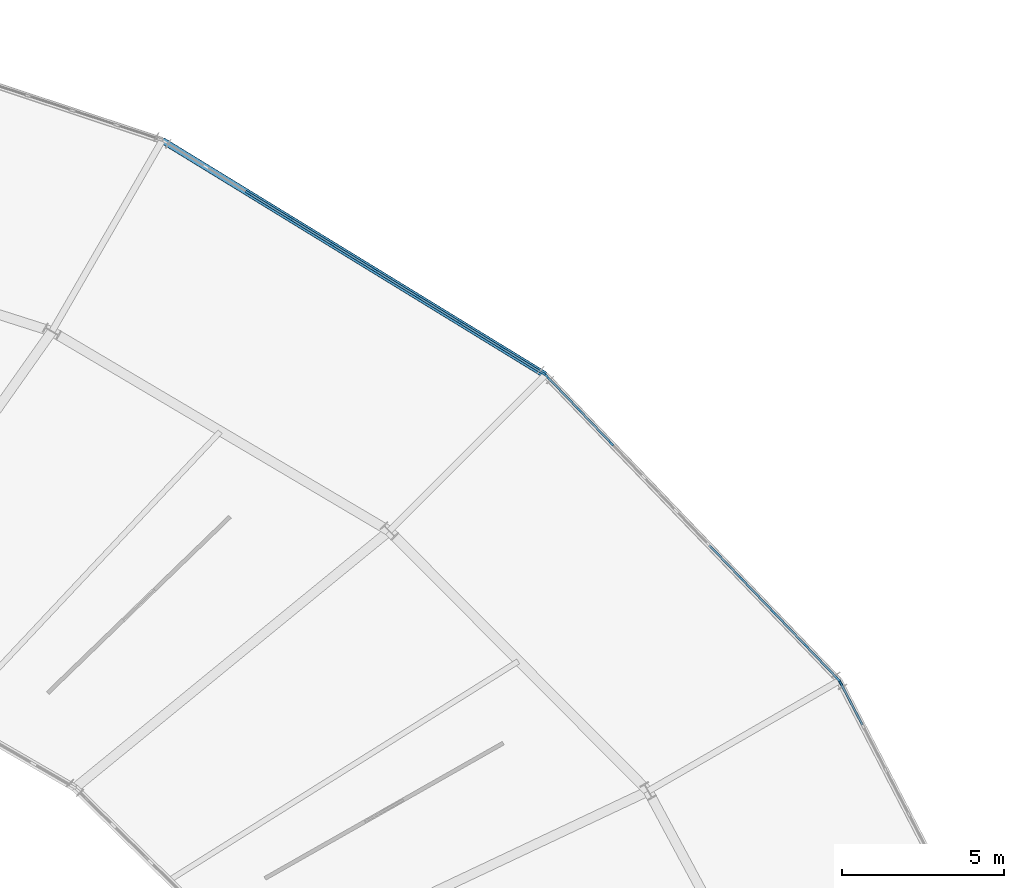
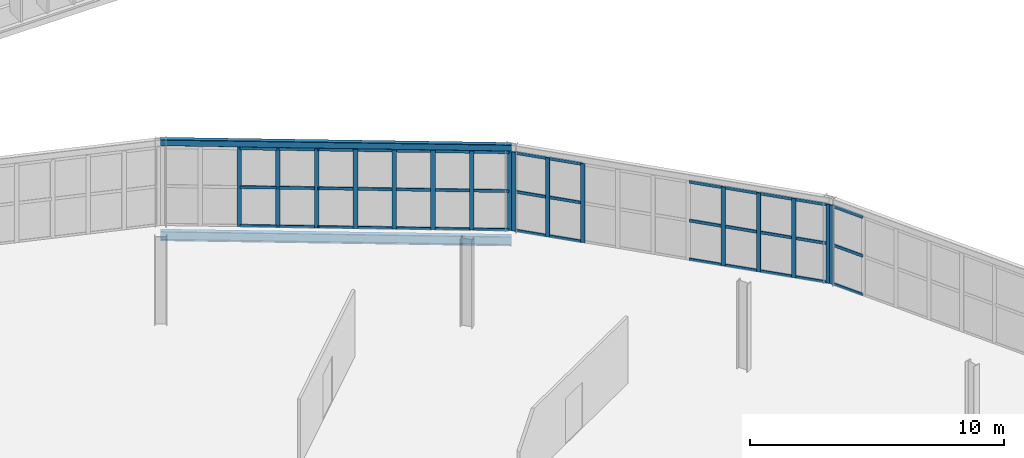
# One storey, part 86 of 161: 58 members, 2 beams, 3 elements without a shape of their own.
"""IFC4 building model written with IfcOpenShell, lengths in metres."""

from ifc_helpers import new_model, si_unit, direction, frame, origin, origin_2d, place, context, subcontext, project, spatial, rectangle, hollow_rectangle, i_section, extrude, material, material_profile, profile_set, type_object, element, aggregate, save


model = new_model("IFC4")

# Units and contexts
model_context = context("Model", 3, precision=1e-05, world=origin(), true_north=direction((0.0, 1.0)))
body_context = subcontext(model_context, "Body", "Model", "MODEL_VIEW")
ifc_project = project(units=[si_unit("LENGTHUNIT", "METRE"), si_unit("AREAUNIT", "SQUARE_METRE"), si_unit("VOLUMEUNIT", "CUBIC_METRE"), si_unit("PLANEANGLEUNIT", "RADIAN"), si_unit("MASSUNIT", "GRAM", prefix="KILO")], contexts=[model_context])

# Site, building, storey
site_placement = place(None, origin())
site = spatial("IfcSite", under=ifc_project, at=site_placement, CompositionType="ELEMENT")
building_placement = place(site_placement, origin())
building = spatial("IfcBuilding", under=site, at=building_placement, Name="Kildeholm Park Wholesale Market", CompositionType="ELEMENT")
storey_placement = place(building_placement, frame((0.0, 0.0, 5.39990234375)))
storey = spatial("IfcBuildingStorey", under=building, at=storey_placement, Name="L01", CompositionType="ELEMENT", Elevation=5.39990234375)

# Beams
ifc_material_1 = material(Name="Steel S355", Category="steel")
ifc_material_profile_1 = material_profile(ifc_material_1, i_section(OverallWidth=0.18994140625, OverallDepth=0.449951171875, WebThickness=0.009521484375, FlangeThickness=0.0146484375, FilletRadius=0.02099609375, at=origin_2d()), Name="IPE 450")
ifc_profile_set_1 = profile_set([ifc_material_profile_1], Name="Steel S355")
beam_type_1 = type_object("IfcBeamType", Name="Beam B-P02 IPE 450", PredefinedType="BEAM", material=ifc_profile_set_1)
beam_1_placement = place(storey_placement, frame((139.304931640625, 121.673095703125, -0.474853515625), z_axis=(-0.852740373682, 0.522335002745, 0.0), x_axis=(-0.522335002745, -0.852740373682, 0.0)))
element("IfcBeam", 1, at=beam_1_placement, inside=storey, type_object=beam_type_1, Name="Beam BM-V1-L01-CO-03 BM-0033", PredefinedType="BEAM", context=body_context, shape_type="SweptSolid", body=[
    extrude(i_section(OverallWidth=0.18994140625, OverallDepth=0.449951171875, WebThickness=0.009521484375, FlangeThickness=0.0146484375, FilletRadius=0.02099609375, at=origin_2d()), origin(), (0.0, 0.0, 1.0), 13.843505859375),
])
ifc_material_profile_2 = material_profile(ifc_material_1, hollow_rectangle(XDim=0.199951171875, YDim=0.300048828125, WallThickness=0.012451171875, InnerFilletRadius=0.012451171875, OuterFilletRadius=0.02490234375, at=origin_2d()), Name="RHS 300x200x12.5")
ifc_profile_set_2 = profile_set([ifc_material_profile_2], Name="Steel S355")
beam_type_2 = type_object("IfcBeamType", Name="Beam SP-01 RHS 300x200x12.5", PredefinedType="SPANDREL", material=ifc_profile_set_2)
beam_2_placement = place(storey_placement, frame((139.304931640625, 121.673095703125, 4.02294921875), z_axis=(-0.852740373682, 0.522335002745, 0.0), x_axis=(-0.522335002745, -0.852740373682, 0.0)))
element("IfcBeam", 2, at=beam_2_placement, inside=storey, type_object=beam_type_2, Name="Beam SP-V1-EAV-03 BM-0238", PredefinedType="SPANDREL", context=body_context, shape_type="SweptSolid", body=[
    extrude(hollow_rectangle(XDim=0.199951171875, YDim=0.300048828125, WallThickness=0.012451171875, InnerFilletRadius=0.012451171875, OuterFilletRadius=0.02490234375, at=origin_2d()), origin(), (0.0, 0.0, 1.0), 13.843505859375),
])

# Curtain wall, member
ifc_material_2 = material(Name="Anodised aluminium and low-E double-glazed glass", Category="aluminium")
curtain_wall_type = type_object("IfcCurtainWallType", Name="Market hall glazed arcade stick curtain wall CW-01", PredefinedType="NOTDEFINED", material=ifc_material_2)
curtain_wall_1_placement = place(storey_placement, origin())
curtain_wall_1 = element("IfcCurtainWall", 3, at=curtain_wall_1_placement, inside=storey, type_object=curtain_wall_type, Name="Curtain wall CW-V1-OT-01-1 CW-0006", PredefinedType="NOTDEFINED")
ifc_material_3 = material(Name="Anodised aluminium", Category="aluminium")
ifc_material_profile_3 = material_profile(ifc_material_3, rectangle(XDim=0.06494140625, YDim=0.179931640625, at=origin_2d()), Name="CWM 65x180")
ifc_profile_set_3 = profile_set([ifc_material_profile_3], Name="Anodised aluminium")
member_type_1 = type_object("IfcMemberType", Name="Curtain-wall mullion CWM-1 CWM 65x180", PredefinedType="MULLION", material=ifc_profile_set_3)
member_1_placement = place(storey_placement, frame((148.403076171875, 112.188232421875, 0.0), z_axis=(0.0, 0.0, 1.0), x_axis=(-0.88765224586, -0.460514375909, 0.0)))
member_1 = element("IfcMember", 4, at=member_1_placement, type_object=member_type_1, Name="CW-01 mullion 9 MEM-0527", PredefinedType="MULLION", context=body_context, shape_type="SweptSolid", body=[
    extrude(rectangle(XDim=0.06494140625, YDim=0.179931640625, at=origin_2d()), origin(), (0.0, 0.0, 1.0), 3.800048828125),
])

# Curtain wall, members
curtain_wall_2_placement = place(storey_placement, origin())
curtain_wall_2 = element("IfcCurtainWall", 5, at=curtain_wall_2_placement, inside=storey, type_object=curtain_wall_type, Name="Curtain wall CW-V1-OT-02-1 CW-0011", PredefinedType="NOTDEFINED")
member_2_placement = place(storey_placement, frame((148.318359375, 112.305419921875, 0.0), z_axis=(0.0, 0.0, 1.0), x_axis=(-0.720901097951, -0.69303795493, 0.0)))
member_2 = element("IfcMember", 6, at=member_2_placement, type_object=member_type_1, Name="CW-01 mullion 1 MEM-0644", PredefinedType="MULLION", context=body_context, shape_type="SweptSolid", body=[
    extrude(rectangle(XDim=0.06494140625, YDim=0.179931640625, at=origin_2d()), origin(), (0.0, 0.0, 1.0), 3.800048828125),
])
member_3_placement = place(storey_placement, frame((147.340576171875, 113.32275390625, 0.0), z_axis=(0.0, 0.0, 1.0), x_axis=(-0.720901097951, -0.69303795493, 0.0)))
member_3 = element("IfcMember", 7, at=member_3_placement, type_object=member_type_1, Name="CW-01 mullion 2 MEM-0645", PredefinedType="MULLION", context=body_context, shape_type="SweptSolid", body=[
    extrude(rectangle(XDim=0.06494140625, YDim=0.179931640625, at=origin_2d()), origin(), (0.0, 0.0, 1.0), 3.800048828125),
])
member_4_placement = place(storey_placement, frame((146.340087890625, 114.36328125, 0.0), z_axis=(0.0, 0.0, 1.0), x_axis=(-0.720901097951, -0.69303795493, 0.0)))
member_4 = element("IfcMember", 8, at=member_4_placement, type_object=member_type_1, Name="CW-01 mullion 3 MEM-0646", PredefinedType="MULLION", context=body_context, shape_type="SweptSolid", body=[
    extrude(rectangle(XDim=0.06494140625, YDim=0.179931640625, at=origin_2d()), origin(), (0.0, 0.0, 1.0), 3.800048828125),
])
member_5_placement = place(storey_placement, frame((145.339599609375, 115.404052734375, 0.0), z_axis=(0.0, 0.0, 1.0), x_axis=(-0.720901097951, -0.69303795493, 0.0)))
member_5 = element("IfcMember", 9, at=member_5_placement, type_object=member_type_1, Name="CW-01 mullion 4 MEM-0647", PredefinedType="MULLION", context=body_context, shape_type="SweptSolid", body=[
    extrude(rectangle(XDim=0.06494140625, YDim=0.179931640625, at=origin_2d()), origin(), (0.0, 0.0, 1.0), 3.800048828125),
])
member_6_placement = place(storey_placement, frame((141.337890625, 119.566650390625, 0.0), z_axis=(0.0, 0.0, 1.0), x_axis=(-0.720901097951, -0.69303795493, 0.0)))
member_6 = element("IfcMember", 10, at=member_6_placement, type_object=member_type_1, Name="CW-01 mullion 8 MEM-0651", PredefinedType="MULLION", context=body_context, shape_type="SweptSolid", body=[
    extrude(rectangle(XDim=0.06494140625, YDim=0.179931640625, at=origin_2d()), origin(), (0.0, 0.0, 1.0), 3.800048828125),
])
member_7_placement = place(storey_placement, frame((140.33740234375, 120.607421875, 0.0), z_axis=(0.0, 0.0, 1.0), x_axis=(-0.720901097951, -0.69303795493, 0.0)))
member_7 = element("IfcMember", 11, at=member_7_placement, type_object=member_type_1, Name="CW-01 mullion 9 MEM-0652", PredefinedType="MULLION", context=body_context, shape_type="SweptSolid", body=[
    extrude(rectangle(XDim=0.06494140625, YDim=0.179931640625, at=origin_2d()), origin(), (0.0, 0.0, 1.0), 3.800048828125),
])
member_8_placement = place(storey_placement, frame((139.359619140625, 121.62451171875, 0.0), z_axis=(0.0, 0.0, 1.0), x_axis=(-0.720901097951, -0.69303795493, 0.0)))
member_8 = element("IfcMember", 12, at=member_8_placement, type_object=member_type_1, Name="CW-01 mullion 10 MEM-0653", PredefinedType="MULLION", context=body_context, shape_type="SweptSolid", body=[
    extrude(rectangle(XDim=0.06494140625, YDim=0.179931640625, at=origin_2d()), origin(), (0.0, 0.0, 1.0), 3.800048828125),
])

curtain_wall_3_placement = place(storey_placement, origin())
curtain_wall_3 = element("IfcCurtainWall", 13, at=curtain_wall_3_placement, inside=storey, type_object=curtain_wall_type, Name="Curtain wall CW-V1-OT-03-1 CW-0016", PredefinedType="NOTDEFINED")
member_9_placement = place(storey_placement, frame((139.247314453125, 121.715087890625, 0.0), z_axis=(0.0, 0.0, 1.0), x_axis=(-0.522284342695, -0.852771402766, 0.0)))
member_9 = element("IfcMember", 14, at=member_9_placement, type_object=member_type_1, Name="CW-01 mullion 1 MEM-0773", PredefinedType="MULLION", context=body_context, shape_type="SweptSolid", body=[
    extrude(rectangle(XDim=0.06494140625, YDim=0.179931640625, at=origin_2d()), origin(), (0.0, 0.0, 1.0), 3.800048828125),
])
member_10_placement = place(storey_placement, frame((137.970703125, 122.496826171875, 0.0), z_axis=(0.0, 0.0, 1.0), x_axis=(-0.522284342695, -0.852771402766, 0.0)))
member_10 = element("IfcMember", 15, at=member_10_placement, type_object=member_type_1, Name="CW-01 mullion 2 MEM-0774", PredefinedType="MULLION", context=body_context, shape_type="SweptSolid", body=[
    extrude(rectangle(XDim=0.06494140625, YDim=0.179931640625, at=origin_2d()), origin(), (0.0, 0.0, 1.0), 3.800048828125),
])
member_11_placement = place(storey_placement, frame((136.66650390625, 123.295654296875, 0.0), z_axis=(0.0, 0.0, 1.0), x_axis=(-0.522284342695, -0.852771402766, 0.0)))
member_11 = element("IfcMember", 16, at=member_11_placement, type_object=member_type_1, Name="CW-01 mullion 3 MEM-0775", PredefinedType="MULLION", context=body_context, shape_type="SweptSolid", body=[
    extrude(rectangle(XDim=0.06494140625, YDim=0.179931640625, at=origin_2d()), origin(), (0.0, 0.0, 1.0), 3.800048828125),
])
member_12_placement = place(storey_placement, frame((135.3623046875, 124.09423828125, 0.0), z_axis=(0.0, 0.0, 1.0), x_axis=(-0.522284342695, -0.852771402766, 0.0)))
member_12 = element("IfcMember", 17, at=member_12_placement, type_object=member_type_1, Name="CW-01 mullion 4 MEM-0776", PredefinedType="MULLION", context=body_context, shape_type="SweptSolid", body=[
    extrude(rectangle(XDim=0.06494140625, YDim=0.179931640625, at=origin_2d()), origin(), (0.0, 0.0, 1.0), 3.800048828125),
])
member_13_placement = place(storey_placement, frame((134.05810546875, 124.89306640625, 0.0), z_axis=(0.0, 0.0, 1.0), x_axis=(-0.522284342695, -0.852771402766, 0.0)))
member_13 = element("IfcMember", 18, at=member_13_placement, type_object=member_type_1, Name="CW-01 mullion 5 MEM-0777", PredefinedType="MULLION", context=body_context, shape_type="SweptSolid", body=[
    extrude(rectangle(XDim=0.06494140625, YDim=0.179931640625, at=origin_2d()), origin(), (0.0, 0.0, 1.0), 3.800048828125),
])
member_14_placement = place(storey_placement, frame((132.75390625, 125.69189453125, 0.0), z_axis=(0.0, 0.0, 1.0), x_axis=(-0.522284342695, -0.852771402766, 0.0)))
member_14 = element("IfcMember", 19, at=member_14_placement, type_object=member_type_1, Name="CW-01 mullion 6 MEM-0778", PredefinedType="MULLION", context=body_context, shape_type="SweptSolid", body=[
    extrude(rectangle(XDim=0.06494140625, YDim=0.179931640625, at=origin_2d()), origin(), (0.0, 0.0, 1.0), 3.800048828125),
])
member_15_placement = place(storey_placement, frame((131.44970703125, 126.49072265625, 0.0), z_axis=(0.0, 0.0, 1.0), x_axis=(-0.522284342695, -0.852771402766, 0.0)))
member_15 = element("IfcMember", 20, at=member_15_placement, type_object=member_type_1, Name="CW-01 mullion 7 MEM-0779", PredefinedType="MULLION", context=body_context, shape_type="SweptSolid", body=[
    extrude(rectangle(XDim=0.06494140625, YDim=0.179931640625, at=origin_2d()), origin(), (0.0, 0.0, 1.0), 3.800048828125),
])
member_16_placement = place(storey_placement, frame((130.1455078125, 127.28955078125, 0.0), z_axis=(0.0, 0.0, 1.0), x_axis=(-0.522284342695, -0.852771402766, 0.0)))
member_16 = element("IfcMember", 21, at=member_16_placement, type_object=member_type_1, Name="CW-01 mullion 8 MEM-0780", PredefinedType="MULLION", context=body_context, shape_type="SweptSolid", body=[
    extrude(rectangle(XDim=0.06494140625, YDim=0.179931640625, at=origin_2d()), origin(), (0.0, 0.0, 1.0), 3.800048828125),
])

# Member
ifc_material_profile_4 = material_profile(ifc_material_3, rectangle(XDim=0.06494140625, YDim=0.139892578125, at=origin_2d()), Name="CWT 65x140")
ifc_profile_set_4 = profile_set([ifc_material_profile_4], Name="Anodised aluminium")
member_type_2 = type_object("IfcMemberType", Name="Curtain-wall transom CWT-1 CWT 65x140", PredefinedType="USERDEFINED", material=ifc_profile_set_4)
member_17_placement = place(storey_placement, frame((149.080078125, 110.8828125, 0.03271484375), z_axis=(-0.460406358293, 0.887708277107, 0.0), x_axis=(-0.887708277107, -0.460406358293, 0.0)))
member_17 = element("IfcMember", 22, at=member_17_placement, type_object=member_type_2, Name="CW-01 transom 8.1 MEM-0549", ObjectType="TRANSOM", PredefinedType="USERDEFINED", context=body_context, shape_type="SweptSolid", body=[
    extrude(rectangle(XDim=0.06494140625, YDim=0.139892578125, at=origin_2d()), origin(), (0.0, 0.0, 1.0), 1.43798828125),
])

member_18_placement = place(storey_placement, frame((149.080078125, 110.8828125, 1.900146484375), z_axis=(-0.460406358293, 0.887708277107, 0.0), x_axis=(-0.887708277107, -0.460406358293, 0.0)))
member_18 = element("IfcMember", 23, at=member_18_placement, type_object=member_type_2, Name="CW-01 transom 8.2 MEM-0550", ObjectType="TRANSOM", PredefinedType="USERDEFINED", context=body_context, shape_type="SweptSolid", body=[
    extrude(rectangle(XDim=0.06494140625, YDim=0.139892578125, at=origin_2d()), origin(), (0.0, 0.0, 1.0), 1.43798828125),
])

member_19_placement = place(storey_placement, frame((149.080078125, 110.8828125, 3.767578125), z_axis=(-0.460406358293, 0.887708277107, 0.0), x_axis=(-0.887708277107, -0.460406358293, 0.0)))
member_19 = element("IfcMember", 24, at=member_19_placement, type_object=member_type_2, Name="CW-01 transom 8.3 MEM-0551", ObjectType="TRANSOM", PredefinedType="USERDEFINED", context=body_context, shape_type="SweptSolid", body=[
    extrude(rectangle(XDim=0.06494140625, YDim=0.139892578125, at=origin_2d()), origin(), (0.0, 0.0, 1.0), 1.43798828125),
])

aggregate(curtain_wall_1, [member_1, member_17, member_18, member_19])

member_20_placement = place(storey_placement, frame((148.2958984375, 112.328857421875, 0.03271484375), z_axis=(-0.693003596834, 0.720934126516, 0.0), x_axis=(-0.720934126516, -0.693003596834, 0.0)))
member_20 = element("IfcMember", 25, at=member_20_placement, type_object=member_type_2, Name="CW-01 transom 1.1 MEM-0654", ObjectType="TRANSOM", PredefinedType="USERDEFINED", context=body_context, shape_type="SweptSolid", body=[
    extrude(rectangle(XDim=0.06494140625, YDim=0.139892578125, at=origin_2d()), origin(), (0.0, 0.0, 1.0), 1.34619140625),
])

member_21_placement = place(storey_placement, frame((148.2958984375, 112.328857421875, 1.900146484375), z_axis=(-0.693003596834, 0.720934126516, 0.0), x_axis=(-0.720934126516, -0.693003596834, 0.0)))
member_21 = element("IfcMember", 26, at=member_21_placement, type_object=member_type_2, Name="CW-01 transom 1.2 MEM-0655", ObjectType="TRANSOM", PredefinedType="USERDEFINED", context=body_context, shape_type="SweptSolid", body=[
    extrude(rectangle(XDim=0.06494140625, YDim=0.139892578125, at=origin_2d()), origin(), (0.0, 0.0, 1.0), 1.34619140625),
])

member_22_placement = place(storey_placement, frame((148.2958984375, 112.328857421875, 3.767578125), z_axis=(-0.693003596834, 0.720934126516, 0.0), x_axis=(-0.720934126516, -0.693003596834, 0.0)))
member_22 = element("IfcMember", 27, at=member_22_placement, type_object=member_type_2, Name="CW-01 transom 1.3 MEM-0656", ObjectType="TRANSOM", PredefinedType="USERDEFINED", context=body_context, shape_type="SweptSolid", body=[
    extrude(rectangle(XDim=0.06494140625, YDim=0.139892578125, at=origin_2d()), origin(), (0.0, 0.0, 1.0), 1.34619140625),
])

member_23_placement = place(storey_placement, frame((147.318115234375, 113.34619140625, 0.03271484375), z_axis=(-0.693158263703, 0.720785419844, 0.0), x_axis=(-0.720785419844, -0.693158263703, 0.0)))
member_23 = element("IfcMember", 28, at=member_23_placement, type_object=member_type_2, Name="CW-01 transom 2.1 MEM-0657", ObjectType="TRANSOM", PredefinedType="USERDEFINED", context=body_context, shape_type="SweptSolid", body=[
    extrude(rectangle(XDim=0.06494140625, YDim=0.139892578125, at=origin_2d()), origin(), (0.0, 0.0, 1.0), 1.378662109375),
])

member_24_placement = place(storey_placement, frame((147.318115234375, 113.34619140625, 1.900146484375), z_axis=(-0.693158263703, 0.720785419844, 0.0), x_axis=(-0.720785419844, -0.693158263703, 0.0)))
member_24 = element("IfcMember", 29, at=member_24_placement, type_object=member_type_2, Name="CW-01 transom 2.2 MEM-0658", ObjectType="TRANSOM", PredefinedType="USERDEFINED", context=body_context, shape_type="SweptSolid", body=[
    extrude(rectangle(XDim=0.06494140625, YDim=0.139892578125, at=origin_2d()), origin(), (0.0, 0.0, 1.0), 1.378662109375),
])

member_25_placement = place(storey_placement, frame((147.318115234375, 113.34619140625, 3.767578125), z_axis=(-0.693158263703, 0.720785419844, 0.0), x_axis=(-0.720785419844, -0.693158263703, 0.0)))
member_25 = element("IfcMember", 30, at=member_25_placement, type_object=member_type_2, Name="CW-01 transom 2.3 MEM-0659", ObjectType="TRANSOM", PredefinedType="USERDEFINED", context=body_context, shape_type="SweptSolid", body=[
    extrude(rectangle(XDim=0.06494140625, YDim=0.139892578125, at=origin_2d()), origin(), (0.0, 0.0, 1.0), 1.378662109375),
])

member_26_placement = place(storey_placement, frame((146.317626953125, 114.38671875, 0.03271484375), z_axis=(-0.692977754297, 0.720958966967, 0.0), x_axis=(-0.720958966967, -0.692977754297, 0.0)))
member_26 = element("IfcMember", 31, at=member_26_placement, type_object=member_type_2, Name="CW-01 transom 3.1 MEM-0660", ObjectType="TRANSOM", PredefinedType="USERDEFINED", context=body_context, shape_type="SweptSolid", body=[
    extrude(rectangle(XDim=0.06494140625, YDim=0.139892578125, at=origin_2d()), origin(), (0.0, 0.0, 1.0), 1.378662109375),
])

member_27_placement = place(storey_placement, frame((146.317626953125, 114.38671875, 1.900146484375), z_axis=(-0.692977754297, 0.720958966967, 0.0), x_axis=(-0.720958966967, -0.692977754297, 0.0)))
member_27 = element("IfcMember", 32, at=member_27_placement, type_object=member_type_2, Name="CW-01 transom 3.2 MEM-0661", ObjectType="TRANSOM", PredefinedType="USERDEFINED", context=body_context, shape_type="SweptSolid", body=[
    extrude(rectangle(XDim=0.06494140625, YDim=0.139892578125, at=origin_2d()), origin(), (0.0, 0.0, 1.0), 1.378662109375),
])

member_28_placement = place(storey_placement, frame((146.317626953125, 114.38671875, 3.767578125), z_axis=(-0.692977754297, 0.720958966967, 0.0), x_axis=(-0.720958966967, -0.692977754297, 0.0)))
member_28 = element("IfcMember", 33, at=member_28_placement, type_object=member_type_2, Name="CW-01 transom 3.3 MEM-0662", ObjectType="TRANSOM", PredefinedType="USERDEFINED", context=body_context, shape_type="SweptSolid", body=[
    extrude(rectangle(XDim=0.06494140625, YDim=0.139892578125, at=origin_2d()), origin(), (0.0, 0.0, 1.0), 1.378662109375),
])

member_29_placement = place(storey_placement, frame((145.317138671875, 115.427490234375, 0.03271484375), z_axis=(-0.693066239187, 0.720873905825, 0.0), x_axis=(-0.720873905825, -0.693066239187, 0.0)))
member_29 = element("IfcMember", 34, at=member_29_placement, type_object=member_type_2, Name="CW-01 transom 4.1 MEM-0663", ObjectType="TRANSOM", PredefinedType="USERDEFINED", context=body_context, shape_type="SweptSolid", body=[
    extrude(rectangle(XDim=0.06494140625, YDim=0.139892578125, at=origin_2d()), origin(), (0.0, 0.0, 1.0), 1.37841796875),
])

member_30_placement = place(storey_placement, frame((145.317138671875, 115.427490234375, 1.900146484375), z_axis=(-0.693066239187, 0.720873905825, 0.0), x_axis=(-0.720873905825, -0.693066239187, 0.0)))
member_30 = element("IfcMember", 35, at=member_30_placement, type_object=member_type_2, Name="CW-01 transom 4.2 MEM-0664", ObjectType="TRANSOM", PredefinedType="USERDEFINED", context=body_context, shape_type="SweptSolid", body=[
    extrude(rectangle(XDim=0.06494140625, YDim=0.139892578125, at=origin_2d()), origin(), (0.0, 0.0, 1.0), 1.37841796875),
])

member_31_placement = place(storey_placement, frame((145.317138671875, 115.427490234375, 3.767578125), z_axis=(-0.693066239187, 0.720873905825, 0.0), x_axis=(-0.720873905825, -0.693066239187, 0.0)))
member_31 = element("IfcMember", 36, at=member_31_placement, type_object=member_type_2, Name="CW-01 transom 4.3 MEM-0665", ObjectType="TRANSOM", PredefinedType="USERDEFINED", context=body_context, shape_type="SweptSolid", body=[
    extrude(rectangle(XDim=0.06494140625, YDim=0.139892578125, at=origin_2d()), origin(), (0.0, 0.0, 1.0), 1.37841796875),
])

member_32_placement = place(storey_placement, frame((141.3154296875, 119.590087890625, 0.03271484375), z_axis=(-0.693069788784, 0.720870493137, 0.0), x_axis=(-0.720870493137, -0.693069788784, 0.0)))
member_32 = element("IfcMember", 37, at=member_32_placement, type_object=member_type_2, Name="CW-01 transom 8.1 MEM-0675", ObjectType="TRANSOM", PredefinedType="USERDEFINED", context=body_context, shape_type="SweptSolid", body=[
    extrude(rectangle(XDim=0.06494140625, YDim=0.139892578125, at=origin_2d()), origin(), (0.0, 0.0, 1.0), 1.378662109375),
])

member_33_placement = place(storey_placement, frame((141.3154296875, 119.590087890625, 1.900146484375), z_axis=(-0.693069788784, 0.720870493137, 0.0), x_axis=(-0.720870493137, -0.693069788784, 0.0)))
member_33 = element("IfcMember", 38, at=member_33_placement, type_object=member_type_2, Name="CW-01 transom 8.2 MEM-0676", ObjectType="TRANSOM", PredefinedType="USERDEFINED", context=body_context, shape_type="SweptSolid", body=[
    extrude(rectangle(XDim=0.06494140625, YDim=0.139892578125, at=origin_2d()), origin(), (0.0, 0.0, 1.0), 1.378662109375),
])

member_34_placement = place(storey_placement, frame((141.3154296875, 119.590087890625, 3.767578125), z_axis=(-0.693069788784, 0.720870493137, 0.0), x_axis=(-0.720870493137, -0.693069788784, 0.0)))
member_34 = element("IfcMember", 39, at=member_34_placement, type_object=member_type_2, Name="CW-01 transom 8.3 MEM-0677", ObjectType="TRANSOM", PredefinedType="USERDEFINED", context=body_context, shape_type="SweptSolid", body=[
    extrude(rectangle(XDim=0.06494140625, YDim=0.139892578125, at=origin_2d()), origin(), (0.0, 0.0, 1.0), 1.378662109375),
])

member_35_placement = place(storey_placement, frame((140.31494140625, 120.630859375, 0.03271484375), z_axis=(-0.693094216002, 0.720847007169, 0.0), x_axis=(-0.720847007169, -0.693094216002, 0.0)))
member_35 = element("IfcMember", 40, at=member_35_placement, type_object=member_type_2, Name="CW-01 transom 9.1 MEM-0678", ObjectType="TRANSOM", PredefinedType="USERDEFINED", context=body_context, shape_type="SweptSolid", body=[
    extrude(rectangle(XDim=0.06494140625, YDim=0.139892578125, at=origin_2d()), origin(), (0.0, 0.0, 1.0), 1.345947265625),
])

member_36_placement = place(storey_placement, frame((140.31494140625, 120.630859375, 1.900146484375), z_axis=(-0.693094216002, 0.720847007169, 0.0), x_axis=(-0.720847007169, -0.693094216002, 0.0)))
member_36 = element("IfcMember", 41, at=member_36_placement, type_object=member_type_2, Name="CW-01 transom 9.2 MEM-0679", ObjectType="TRANSOM", PredefinedType="USERDEFINED", context=body_context, shape_type="SweptSolid", body=[
    extrude(rectangle(XDim=0.06494140625, YDim=0.139892578125, at=origin_2d()), origin(), (0.0, 0.0, 1.0), 1.345947265625),
])

member_37_placement = place(storey_placement, frame((140.31494140625, 120.630859375, 3.767578125), z_axis=(-0.693094216002, 0.720847007169, 0.0), x_axis=(-0.720847007169, -0.693094216002, 0.0)))
member_37 = element("IfcMember", 42, at=member_37_placement, type_object=member_type_2, Name="CW-01 transom 9.3 MEM-0680", ObjectType="TRANSOM", PredefinedType="USERDEFINED", context=body_context, shape_type="SweptSolid", body=[
    extrude(rectangle(XDim=0.06494140625, YDim=0.139892578125, at=origin_2d()), origin(), (0.0, 0.0, 1.0), 1.345947265625),
])

aggregate(curtain_wall_2, [member_2, member_3, member_4, member_5, member_6, member_7, member_8, member_20, member_21, member_22, member_23, member_24, member_25, member_26, member_27, member_28, member_29, member_30, member_31, member_32, member_33, member_34, member_35, member_36, member_37])

member_38_placement = place(storey_placement, frame((139.219482421875, 121.73193359375, 0.03271484375), z_axis=(-0.85276295906, 0.522298129094, 0.0), x_axis=(-0.522298129094, -0.85276295906, 0.0)))
member_38 = element("IfcMember", 43, at=member_38_placement, type_object=member_type_2, Name="CW-01 transom 1.1 MEM-0783", ObjectType="TRANSOM", PredefinedType="USERDEFINED", context=body_context, shape_type="SweptSolid", body=[
    extrude(rectangle(XDim=0.06494140625, YDim=0.139892578125, at=origin_2d()), origin(), (0.0, 0.0, 1.0), 1.431640625),
])

member_39_placement = place(storey_placement, frame((139.219482421875, 121.73193359375, 1.900146484375), z_axis=(-0.85276295906, 0.522298129094, 0.0), x_axis=(-0.522298129094, -0.85276295906, 0.0)))
member_39 = element("IfcMember", 44, at=member_39_placement, type_object=member_type_2, Name="CW-01 transom 1.2 MEM-0784", ObjectType="TRANSOM", PredefinedType="USERDEFINED", context=body_context, shape_type="SweptSolid", body=[
    extrude(rectangle(XDim=0.06494140625, YDim=0.139892578125, at=origin_2d()), origin(), (0.0, 0.0, 1.0), 1.431640625),
])

member_40_placement = place(storey_placement, frame((139.219482421875, 121.73193359375, 3.767578125), z_axis=(-0.85276295906, 0.522298129094, 0.0), x_axis=(-0.522298129094, -0.85276295906, 0.0)))
member_40 = element("IfcMember", 45, at=member_40_placement, type_object=member_type_2, Name="CW-01 transom 1.3 MEM-0785", ObjectType="TRANSOM", PredefinedType="USERDEFINED", context=body_context, shape_type="SweptSolid", body=[
    extrude(rectangle(XDim=0.06494140625, YDim=0.139892578125, at=origin_2d()), origin(), (0.0, 0.0, 1.0), 1.431640625),
])

member_41_placement = place(storey_placement, frame((137.943115234375, 122.513671875, 0.03271484375), z_axis=(-0.852749773826, 0.522319656187, 0.0), x_axis=(-0.522319656187, -0.852749773826, 0.0)))
member_41 = element("IfcMember", 46, at=member_41_placement, type_object=member_type_2, Name="CW-01 transom 2.1 MEM-0786", ObjectType="TRANSOM", PredefinedType="USERDEFINED", context=body_context, shape_type="SweptSolid", body=[
    extrude(rectangle(XDim=0.06494140625, YDim=0.139892578125, at=origin_2d()), origin(), (0.0, 0.0, 1.0), 1.46435546875),
])

member_42_placement = place(storey_placement, frame((137.943115234375, 122.513671875, 1.900146484375), z_axis=(-0.852749773826, 0.522319656187, 0.0), x_axis=(-0.522319656187, -0.852749773826, 0.0)))
member_42 = element("IfcMember", 47, at=member_42_placement, type_object=member_type_2, Name="CW-01 transom 2.2 MEM-0787", ObjectType="TRANSOM", PredefinedType="USERDEFINED", context=body_context, shape_type="SweptSolid", body=[
    extrude(rectangle(XDim=0.06494140625, YDim=0.139892578125, at=origin_2d()), origin(), (0.0, 0.0, 1.0), 1.46435546875),
])

member_43_placement = place(storey_placement, frame((137.943115234375, 122.513671875, 3.767578125), z_axis=(-0.852749773826, 0.522319656187, 0.0), x_axis=(-0.522319656187, -0.852749773826, 0.0)))
member_43 = element("IfcMember", 48, at=member_43_placement, type_object=member_type_2, Name="CW-01 transom 2.3 MEM-0788", ObjectType="TRANSOM", PredefinedType="USERDEFINED", context=body_context, shape_type="SweptSolid", body=[
    extrude(rectangle(XDim=0.06494140625, YDim=0.139892578125, at=origin_2d()), origin(), (0.0, 0.0, 1.0), 1.46435546875),
])

member_44_placement = place(storey_placement, frame((136.638916015625, 123.3125, 0.03271484375), z_axis=(-0.852749773826, 0.522319656187, 0.0), x_axis=(-0.522319656187, -0.852749773826, 0.0)))
member_44 = element("IfcMember", 49, at=member_44_placement, type_object=member_type_2, Name="CW-01 transom 3.1 MEM-0789", ObjectType="TRANSOM", PredefinedType="USERDEFINED", context=body_context, shape_type="SweptSolid", body=[
    extrude(rectangle(XDim=0.06494140625, YDim=0.139892578125, at=origin_2d()), origin(), (0.0, 0.0, 1.0), 1.46435546875),
])

member_45_placement = place(storey_placement, frame((136.638916015625, 123.3125, 1.900146484375), z_axis=(-0.852749773826, 0.522319656187, 0.0), x_axis=(-0.522319656187, -0.852749773826, 0.0)))
member_45 = element("IfcMember", 50, at=member_45_placement, type_object=member_type_2, Name="CW-01 transom 3.2 MEM-0790", ObjectType="TRANSOM", PredefinedType="USERDEFINED", context=body_context, shape_type="SweptSolid", body=[
    extrude(rectangle(XDim=0.06494140625, YDim=0.139892578125, at=origin_2d()), origin(), (0.0, 0.0, 1.0), 1.46435546875),
])

member_46_placement = place(storey_placement, frame((136.638916015625, 123.3125, 3.767578125), z_axis=(-0.852749773826, 0.522319656187, 0.0), x_axis=(-0.522319656187, -0.852749773826, 0.0)))
member_46 = element("IfcMember", 51, at=member_46_placement, type_object=member_type_2, Name="CW-01 transom 3.3 MEM-0791", ObjectType="TRANSOM", PredefinedType="USERDEFINED", context=body_context, shape_type="SweptSolid", body=[
    extrude(rectangle(XDim=0.06494140625, YDim=0.139892578125, at=origin_2d()), origin(), (0.0, 0.0, 1.0), 1.46435546875),
])

member_47_placement = place(storey_placement, frame((135.334716796875, 124.111328125, 0.03271484375), z_axis=(-0.852749773826, 0.522319656187, 0.0), x_axis=(-0.522319656187, -0.852749773826, 0.0)))
member_47 = element("IfcMember", 52, at=member_47_placement, type_object=member_type_2, Name="CW-01 transom 4.1 MEM-0792", ObjectType="TRANSOM", PredefinedType="USERDEFINED", context=body_context, shape_type="SweptSolid", body=[
    extrude(rectangle(XDim=0.06494140625, YDim=0.139892578125, at=origin_2d()), origin(), (0.0, 0.0, 1.0), 1.46435546875),
])

member_48_placement = place(storey_placement, frame((135.334716796875, 124.111328125, 1.900146484375), z_axis=(-0.852749773826, 0.522319656187, 0.0), x_axis=(-0.522319656187, -0.852749773826, 0.0)))
member_48 = element("IfcMember", 53, at=member_48_placement, type_object=member_type_2, Name="CW-01 transom 4.2 MEM-0793", ObjectType="TRANSOM", PredefinedType="USERDEFINED", context=body_context, shape_type="SweptSolid", body=[
    extrude(rectangle(XDim=0.06494140625, YDim=0.139892578125, at=origin_2d()), origin(), (0.0, 0.0, 1.0), 1.46435546875),
])

member_49_placement = place(storey_placement, frame((135.334716796875, 124.111328125, 3.767578125), z_axis=(-0.852749773826, 0.522319656187, 0.0), x_axis=(-0.522319656187, -0.852749773826, 0.0)))
member_49 = element("IfcMember", 54, at=member_49_placement, type_object=member_type_2, Name="CW-01 transom 4.3 MEM-0794", ObjectType="TRANSOM", PredefinedType="USERDEFINED", context=body_context, shape_type="SweptSolid", body=[
    extrude(rectangle(XDim=0.06494140625, YDim=0.139892578125, at=origin_2d()), origin(), (0.0, 0.0, 1.0), 1.46435546875),
])

member_50_placement = place(storey_placement, frame((134.030517578125, 124.91015625, 0.03271484375), z_axis=(-0.852869484193, 0.522124164287, 0.0), x_axis=(-0.522124164287, -0.852869484193, 0.0)))
member_50 = element("IfcMember", 55, at=member_50_placement, type_object=member_type_2, Name="CW-01 transom 5.1 MEM-0795", ObjectType="TRANSOM", PredefinedType="USERDEFINED", context=body_context, shape_type="SweptSolid", body=[
    extrude(rectangle(XDim=0.06494140625, YDim=0.139892578125, at=origin_2d()), origin(), (0.0, 0.0, 1.0), 1.464599609375),
])

member_51_placement = place(storey_placement, frame((134.030517578125, 124.91015625, 1.900146484375), z_axis=(-0.852869484193, 0.522124164287, 0.0), x_axis=(-0.522124164287, -0.852869484193, 0.0)))
member_51 = element("IfcMember", 56, at=member_51_placement, type_object=member_type_2, Name="CW-01 transom 5.2 MEM-0796", ObjectType="TRANSOM", PredefinedType="USERDEFINED", context=body_context, shape_type="SweptSolid", body=[
    extrude(rectangle(XDim=0.06494140625, YDim=0.139892578125, at=origin_2d()), origin(), (0.0, 0.0, 1.0), 1.464599609375),
])

member_52_placement = place(storey_placement, frame((134.030517578125, 124.91015625, 3.767578125), z_axis=(-0.852869484193, 0.522124164287, 0.0), x_axis=(-0.522124164287, -0.852869484193, 0.0)))
member_52 = element("IfcMember", 57, at=member_52_placement, type_object=member_type_2, Name="CW-01 transom 5.3 MEM-0797", ObjectType="TRANSOM", PredefinedType="USERDEFINED", context=body_context, shape_type="SweptSolid", body=[
    extrude(rectangle(XDim=0.06494140625, YDim=0.139892578125, at=origin_2d()), origin(), (0.0, 0.0, 1.0), 1.464599609375),
])

member_53_placement = place(storey_placement, frame((132.72607421875, 125.708984375, 0.03271484375), z_axis=(-0.852824028084, 0.522198407812, 0.0), x_axis=(-0.522198407812, -0.852824028084, 0.0)))
member_53 = element("IfcMember", 58, at=member_53_placement, type_object=member_type_2, Name="CW-01 transom 6.1 MEM-0798", ObjectType="TRANSOM", PredefinedType="USERDEFINED", context=body_context, shape_type="SweptSolid", body=[
    extrude(rectangle(XDim=0.06494140625, YDim=0.139892578125, at=origin_2d()), origin(), (0.0, 0.0, 1.0), 1.46435546875),
])

member_54_placement = place(storey_placement, frame((132.72607421875, 125.708984375, 1.900146484375), z_axis=(-0.852824028084, 0.522198407812, 0.0), x_axis=(-0.522198407812, -0.852824028084, 0.0)))
member_54 = element("IfcMember", 59, at=member_54_placement, type_object=member_type_2, Name="CW-01 transom 6.2 MEM-0799", ObjectType="TRANSOM", PredefinedType="USERDEFINED", context=body_context, shape_type="SweptSolid", body=[
    extrude(rectangle(XDim=0.06494140625, YDim=0.139892578125, at=origin_2d()), origin(), (0.0, 0.0, 1.0), 1.46435546875),
])

member_55_placement = place(storey_placement, frame((132.72607421875, 125.708984375, 3.767578125), z_axis=(-0.852824028084, 0.522198407812, 0.0), x_axis=(-0.522198407812, -0.852824028084, 0.0)))
member_55 = element("IfcMember", 60, at=member_55_placement, type_object=member_type_2, Name="CW-01 transom 6.3 MEM-0800", ObjectType="TRANSOM", PredefinedType="USERDEFINED", context=body_context, shape_type="SweptSolid", body=[
    extrude(rectangle(XDim=0.06494140625, YDim=0.139892578125, at=origin_2d()), origin(), (0.0, 0.0, 1.0), 1.46435546875),
])

member_56_placement = place(storey_placement, frame((131.421875, 126.507568359375, 0.03271484375), z_axis=(-0.852749773826, 0.522319656187, 0.0), x_axis=(-0.522319656187, -0.852749773826, 0.0)))
member_56 = element("IfcMember", 61, at=member_56_placement, type_object=member_type_2, Name="CW-01 transom 7.1 MEM-0801", ObjectType="TRANSOM", PredefinedType="USERDEFINED", context=body_context, shape_type="SweptSolid", body=[
    extrude(rectangle(XDim=0.06494140625, YDim=0.139892578125, at=origin_2d()), origin(), (0.0, 0.0, 1.0), 1.46435546875),
])

member_57_placement = place(storey_placement, frame((131.421875, 126.507568359375, 1.900146484375), z_axis=(-0.852749773826, 0.522319656187, 0.0), x_axis=(-0.522319656187, -0.852749773826, 0.0)))
member_57 = element("IfcMember", 62, at=member_57_placement, type_object=member_type_2, Name="CW-01 transom 7.2 MEM-0802", ObjectType="TRANSOM", PredefinedType="USERDEFINED", context=body_context, shape_type="SweptSolid", body=[
    extrude(rectangle(XDim=0.06494140625, YDim=0.139892578125, at=origin_2d()), origin(), (0.0, 0.0, 1.0), 1.46435546875),
])

member_58_placement = place(storey_placement, frame((131.421875, 126.507568359375, 3.767578125), z_axis=(-0.852749773826, 0.522319656187, 0.0), x_axis=(-0.522319656187, -0.852749773826, 0.0)))
member_58 = element("IfcMember", 63, at=member_58_placement, type_object=member_type_2, Name="CW-01 transom 7.3 MEM-0803", ObjectType="TRANSOM", PredefinedType="USERDEFINED", context=body_context, shape_type="SweptSolid", body=[
    extrude(rectangle(XDim=0.06494140625, YDim=0.139892578125, at=origin_2d()), origin(), (0.0, 0.0, 1.0), 1.46435546875),
])

aggregate(curtain_wall_3, [member_9, member_10, member_11, member_12, member_13, member_14, member_15, member_16, member_38, member_39, member_40, member_41, member_42, member_43, member_44, member_45, member_46, member_47, member_48, member_49, member_50, member_51, member_52, member_53, member_54, member_55, member_56, member_57, member_58])

save(model, "model.ifc")
